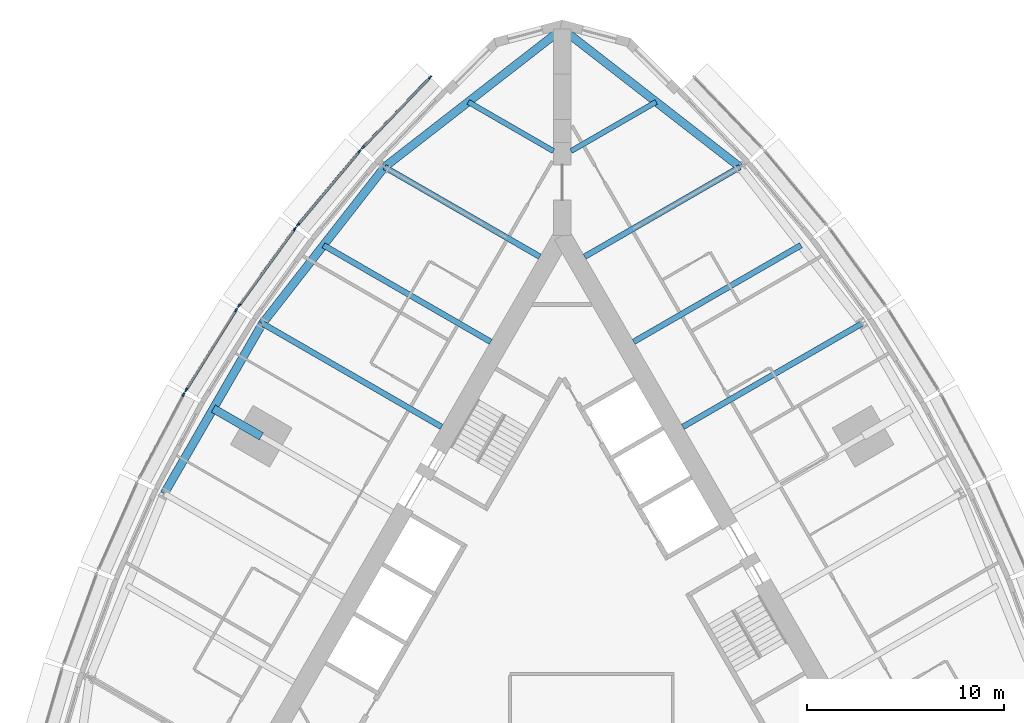
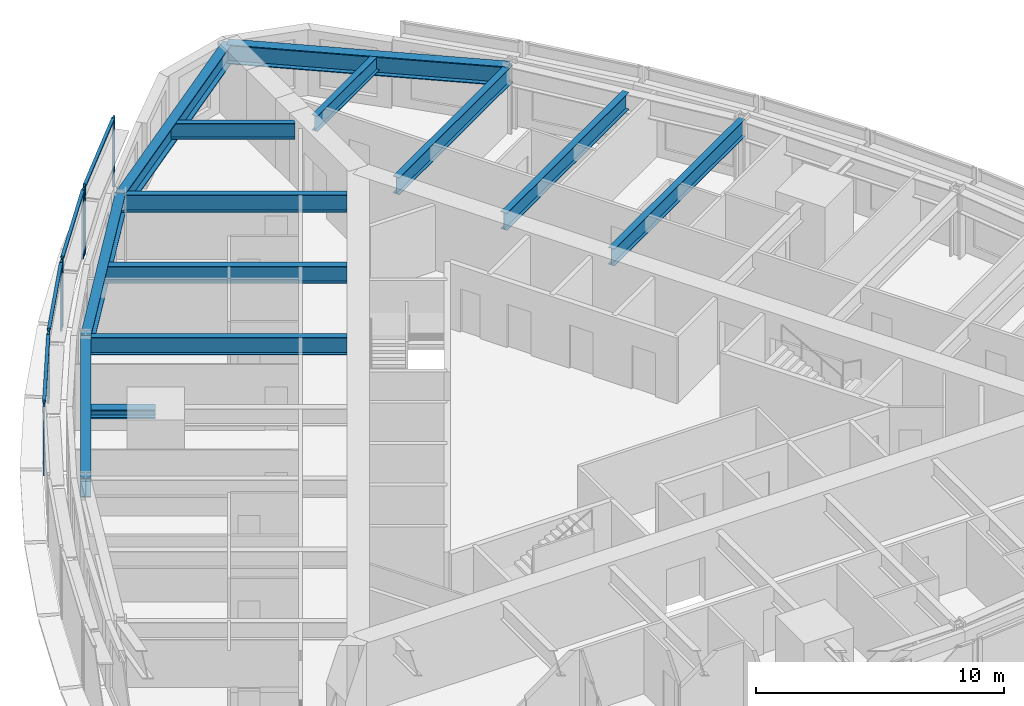
# One storey, part 4 of 14: 13 beams, 13 members, 5 elements without a shape of their own.
"""IFC4 building model written with IfcOpenShell, lengths in metres."""

from ifc_helpers import new_model, si_unit, direction, frame, origin, origin_2d, place, context, subcontext, project, spatial, rectangle, i_section, extrude, material, material_profile, profile_set, type_object, element, aggregate, save


model = new_model("IFC4")

# Units and contexts
model_context = context("Model", 3, precision=1e-05, world=origin(), true_north=direction((0.0, 1.0)))
body_context = subcontext(model_context, "Body", "Model", "MODEL_VIEW")
ifc_project = project(units=[si_unit("LENGTHUNIT", "METRE"), si_unit("AREAUNIT", "SQUARE_METRE"), si_unit("VOLUMEUNIT", "CUBIC_METRE"), si_unit("PLANEANGLEUNIT", "RADIAN"), si_unit("MASSUNIT", "GRAM", prefix="KILO")], contexts=[model_context])

# Site, building, storey
site_placement = place(None, origin())
site = spatial("IfcSite", under=ifc_project, at=site_placement, CompositionType="ELEMENT")
building_placement = place(site_placement, origin())
building = spatial("IfcBuilding", under=site, at=building_placement, Name="Trikona Tower", CompositionType="ELEMENT")
storey_placement = place(building_placement, frame((0.0, 0.0, 169.10009765625)))
storey = spatial("IfcBuildingStorey", under=building, at=storey_placement, Name="L45", CompositionType="ELEMENT", Elevation=169.10009765625)

# Curtain wall, members
ifc_material_1 = material(Name="Aluminium curtain wall system", Category="aluminium")
curtain_wall_type = type_object("IfcCurtainWallType", Name="Curtain wall DS2", PredefinedType="NOTDEFINED", material=ifc_material_1)
curtain_wall_1_placement = place(storey_placement, origin())
curtain_wall_1 = element("IfcCurtainWall", 1, at=curtain_wall_1_placement, inside=storey, type_object=curtain_wall_type, Name="Curtain wall DS2 L45", PredefinedType="NOTDEFINED")
ifc_material_2 = material(Name="Aluminium mullion, pale anodised", Category="aluminium")
ifc_material_profile_1 = material_profile(ifc_material_2, rectangle(XDim=0.080078125, YDim=0.199951171875, at=origin_2d()), Name="MUL-DS2")
ifc_profile_set_1 = profile_set([ifc_material_profile_1], Name="Aluminium mullion, pale anodised")
member_type_1 = type_object("IfcMemberType", Name="Mullion DS2 80x200", PredefinedType="MULLION", material=ifc_profile_set_1)
member_1_placement = place(storey_placement, frame((-6.718994140625, 27.1083984375, 0.0), z_axis=(0.0, 0.0, 1.0), x_axis=(0.722158330767, -0.691727797117, 0.0)))
member_1 = element("IfcMember", 2, at=member_1_placement, type_object=member_type_1, Name="CW-DS2 mullion 1", PredefinedType="MULLION", context=body_context, shape_type="SweptSolid", body=[
    extrude(rectangle(XDim=0.080078125, YDim=0.199951171875, at=origin_2d()), origin(), (0.0, 0.0, 1.0), 3.39990234375),
])
member_2_placement = place(storey_placement, frame((-10.1416015625, 23.535400390625, 0.0), z_axis=(0.0, 0.0, 1.0), x_axis=(0.722158330767, -0.691727797117, 0.0)))
member_2 = element("IfcMember", 3, at=member_2_placement, type_object=member_type_1, Name="CW-DS2 mullion 2", PredefinedType="MULLION", context=body_context, shape_type="SweptSolid", body=[
    extrude(rectangle(XDim=0.080078125, YDim=0.199951171875, at=origin_2d()), origin(), (0.0, 0.0, 1.0), 3.39990234375),
])

curtain_wall_2_placement = place(storey_placement, origin())
curtain_wall_2 = element("IfcCurtainWall", 4, at=curtain_wall_2_placement, inside=storey, type_object=curtain_wall_type, Name="Curtain wall DS2 L45", PredefinedType="NOTDEFINED")
member_3_placement = place(storey_placement, frame((-10.315185546875, 23.34130859375, 0.0), z_axis=(0.0, 0.0, 1.0), x_axis=(0.766866678271, -0.641806433248, 0.0)))
member_3 = element("IfcMember", 5, at=member_3_placement, type_object=member_type_1, Name="CW-DS2 mullion 1", PredefinedType="MULLION", context=body_context, shape_type="SweptSolid", body=[
    extrude(rectangle(XDim=0.080078125, YDim=0.199951171875, at=origin_2d()), origin(), (0.0, 0.0, 1.0), 3.39990234375),
])
member_4_placement = place(storey_placement, frame((-13.44482421875, 19.602294921875, 0.0), z_axis=(0.0, 0.0, 1.0), x_axis=(0.766866678271, -0.641806433248, 0.0)))
member_4 = element("IfcMember", 6, at=member_4_placement, type_object=member_type_1, Name="CW-DS2 mullion 2", PredefinedType="MULLION", context=body_context, shape_type="SweptSolid", body=[
    extrude(rectangle(XDim=0.080078125, YDim=0.199951171875, at=origin_2d()), origin(), (0.0, 0.0, 1.0), 3.39990234375),
])

curtain_wall_3_placement = place(storey_placement, origin())
curtain_wall_3 = element("IfcCurtainWall", 7, at=curtain_wall_3_placement, inside=storey, type_object=curtain_wall_type, Name="Curtain wall DS2 L45", PredefinedType="NOTDEFINED")
member_5_placement = place(storey_placement, frame((-13.605712890625, 19.39599609375, 0.0), z_axis=(0.0, 0.0, 1.0), x_axis=(0.80908576332, -0.587690588313, 0.0)))
member_5 = element("IfcMember", 8, at=member_5_placement, type_object=member_type_1, Name="CW-DS2 mullion 1", PredefinedType="MULLION", context=body_context, shape_type="SweptSolid", body=[
    extrude(rectangle(XDim=0.080078125, YDim=0.199951171875, at=origin_2d()), origin(), (0.0, 0.0, 1.0), 3.39990234375),
])
member_6_placement = place(storey_placement, frame((-16.442626953125, 15.489990234375, 0.0), z_axis=(0.0, 0.0, 1.0), x_axis=(0.80908576332, -0.587690588313, 0.0)))
member_6 = element("IfcMember", 9, at=member_6_placement, type_object=member_type_1, Name="CW-DS2 mullion 2", PredefinedType="MULLION", context=body_context, shape_type="SweptSolid", body=[
    extrude(rectangle(XDim=0.080078125, YDim=0.199951171875, at=origin_2d()), origin(), (0.0, 0.0, 1.0), 3.39990234375),
])

curtain_wall_4_placement = place(storey_placement, origin())
curtain_wall_4 = element("IfcCurtainWall", 10, at=curtain_wall_4_placement, inside=storey, type_object=curtain_wall_type, Name="Curtain wall DS2 L45", PredefinedType="NOTDEFINED")
member_7_placement = place(storey_placement, frame((-16.589599609375, 15.2724609375, 0.0), z_axis=(0.0, 0.0, 1.0), x_axis=(0.847998304006, -0.529998940002, 0.0)))
member_7 = element("IfcMember", 11, at=member_7_placement, type_object=member_type_1, Name="CW-DS2 mullion 1", PredefinedType="MULLION", context=body_context, shape_type="SweptSolid", body=[
    extrude(rectangle(XDim=0.080078125, YDim=0.199951171875, at=origin_2d()), origin(), (0.0, 0.0, 1.0), 3.39990234375),
])
member_8_placement = place(storey_placement, frame((-19.135009765625, 11.199462890625, 0.0), z_axis=(0.0, 0.0, 1.0), x_axis=(0.847998304006, -0.529998940002, 0.0)))
member_8 = element("IfcMember", 12, at=member_8_placement, type_object=member_type_1, Name="CW-DS2 mullion 2", PredefinedType="MULLION", context=body_context, shape_type="SweptSolid", body=[
    extrude(rectangle(XDim=0.080078125, YDim=0.199951171875, at=origin_2d()), origin(), (0.0, 0.0, 1.0), 3.39990234375),
])

# Curtain wall, member
curtain_wall_5_placement = place(storey_placement, origin())
curtain_wall_5 = element("IfcCurtainWall", 13, at=curtain_wall_5_placement, inside=storey, type_object=curtain_wall_type, Name="Curtain wall DS2 L45", PredefinedType="NOTDEFINED")
member_9_placement = place(storey_placement, frame((-19.2666015625, 10.9716796875, 0.0), z_axis=(0.0, 0.0, 1.0), x_axis=(0.882996107343, -0.469380308937, 0.0)))
member_9 = element("IfcMember", 14, at=member_9_placement, type_object=member_type_1, Name="CW-DS2 mullion 1", PredefinedType="MULLION", context=body_context, shape_type="SweptSolid", body=[
    extrude(rectangle(XDim=0.080078125, YDim=0.199951171875, at=origin_2d()), origin(), (0.0, 0.0, 1.0), 3.39990234375),
])
aggregate(curtain_wall_5, [member_9])

# Beams
ifc_material_3 = material(Name="Steel ASTM A992 Grade 50", Category="steel")
ifc_material_profile_2 = material_profile(ifc_material_3, i_section(OverallWidth=0.419189453125, OverallDepth=0.45458984375, WebThickness=0.042236328125, FlangeThickness=0.067626953125, at=origin_2d()), Name="W14X370")
ifc_profile_set_2 = profile_set([ifc_material_profile_2], Name="Steel ASTM A992 Grade 50")
beam_type_1 = type_object("IfcBeamType", Name="Steel beam W14x370 (apex bracket)", PredefinedType="BEAM", material=ifc_profile_set_2)
beam_1_placement = place(storey_placement, frame((-15.311767578125, 8.84033203125, 3.007568359375), z_axis=(-0.86605005072, 0.499957307824, 0.0), x_axis=(-0.499957307824, -0.86605005072, 0.0)))
element("IfcBeam", 15, at=beam_1_placement, inside=storey, type_object=beam_type_1, Name="Cantilever bracket L46 F3", PredefinedType="BEAM", context=body_context, shape_type="SweptSolid", body=[
    extrude(i_section(OverallWidth=0.419189453125, OverallDepth=0.45458984375, WebThickness=0.042236328125, FlangeThickness=0.067626953125, at=origin_2d()), origin(), (0.0, 0.0, 1.0), 2.819580078125),
])
ifc_material_4 = material(Name="Steel ASTM A992 Grade 50", Category="steel")
ifc_material_profile_3 = material_profile(ifc_material_4, i_section(OverallWidth=0.2666015625, OverallDepth=0.76953125, WebThickness=0.015625, FlangeThickness=0.025390625, at=origin_2d()), Name="W30X132")
ifc_profile_set_3 = profile_set([ifc_material_profile_3], Name="Steel ASTM A992 Grade 50")
beam_type_2 = type_object("IfcBeamType", Name="Steel beam W30x132 (wedge)", PredefinedType="BEAM", material=ifc_profile_set_3)
for number, where, z_axis, x_axis, name in (
    (16, (0.449951171875, 23.353759765625, 2.85009765625), (0.866038434829, 0.49997742889, 0.0), (-0.49997742889, 0.866038434829, 0.0), "Floor beam L46 F2 u20"),
    (17, (-0.449951171875, 23.353759765625, 2.85009765625), (-0.866038434829, 0.49997742889, 0.0), (-0.49997742889, -0.866038434829, 0.0), "Floor beam L46 F3 u-20"),
):
    element("IfcBeam", number, at=place(storey_placement, frame(where, z_axis=z_axis, x_axis=x_axis)), inside=storey, type_object=beam_type_2, Name=name, PredefinedType="BEAM", context=body_context, shape_type="SweptSolid", body=[
        extrude(i_section(OverallWidth=0.2666015625, OverallDepth=0.76953125, WebThickness=0.015625, FlangeThickness=0.025390625, at=origin_2d()), origin(), (0.0, 0.0, 1.0), 5.000732421875),
    ])
ifc_material_5 = material(Name="Steel ASTM A992 Grade 50", Category="steel")
ifc_material_profile_4 = material_profile(ifc_material_5, i_section(OverallWidth=0.2919921875, OverallDepth=0.845703125, WebThickness=0.015380859375, FlangeThickness=0.0244140625, at=origin_2d()), Name="W33X141")
ifc_profile_set_4 = profile_set([ifc_material_profile_4], Name="Steel ASTM A992 Grade 50")
beam_type_3 = type_object("IfcBeamType", Name="Steel beam W33x141 (radial typ)", PredefinedType="BEAM", material=ifc_profile_set_4)
beam_2_placement = place(storey_placement, frame((6.1396484375, 9.318359375, 2.81201171875), z_axis=(0.866036080828, 0.499981506362, 0.0), x_axis=(-0.499981506362, 0.866036080828, 0.0)))
element("IfcBeam", 18, at=beam_2_placement, inside=storey, type_object=beam_type_3, Name="Floor beam L46 F2 u5", PredefinedType="BEAM", context=body_context, shape_type="SweptSolid", body=[
    extrude(i_section(OverallWidth=0.2919921875, OverallDepth=0.845703125, WebThickness=0.015380859375, FlangeThickness=0.0244140625, at=origin_2d()), origin(), (0.0, 0.0, 1.0), 10.52392578125),
])
beam_3_placement = place(storey_placement, frame((3.6396484375, 13.6484375, 2.81201171875), z_axis=(0.866030807744, 0.499990639951, 0.0), x_axis=(-0.499990639951, 0.866030807744, 0.0)))
element("IfcBeam", 19, at=beam_3_placement, inside=storey, type_object=beam_type_3, Name="Floor beam L46 F2 u10", PredefinedType="BEAM", context=body_context, shape_type="SweptSolid", body=[
    extrude(i_section(OverallWidth=0.2919921875, OverallDepth=0.845703125, WebThickness=0.015380859375, FlangeThickness=0.0244140625, at=origin_2d()), origin(), (0.0, 0.0, 1.0), 9.823974609375),
])
for number, where, z_axis, x_axis, name in (
    (20, (1.1396484375, 17.978515625, 2.81201171875), (0.866024725532, 0.500001174766, 0.0), (-0.500001174766, 0.866024725532, 0.0), "Floor beam L46 F2 u15"),
    (21, (-1.1396484375, 17.978515625, 2.81201171875), (-0.866024725532, 0.500001174766, 0.0), (-0.500001174766, -0.866024725532, 0.0), "Floor beam L46 F3 u-15"),
):
    element("IfcBeam", number, at=place(storey_placement, frame(where, z_axis=z_axis, x_axis=x_axis)), inside=storey, type_object=beam_type_3, Name=name, PredefinedType="BEAM", context=body_context, shape_type="SweptSolid", body=[
        extrude(i_section(OverallWidth=0.2919921875, OverallDepth=0.845703125, WebThickness=0.015380859375, FlangeThickness=0.0244140625, at=origin_2d()), origin(), (0.0, 0.0, 1.0), 9.1240234375),
    ])
beam_4_placement = place(storey_placement, frame((-3.6396484375, 13.6484375, 2.81201171875), z_axis=(-0.866030807744, 0.499990639951, 0.0), x_axis=(-0.499990639951, -0.866030807744, 0.0)))
element("IfcBeam", 22, at=beam_4_placement, inside=storey, type_object=beam_type_3, Name="Floor beam L46 F3 u-10", PredefinedType="BEAM", context=body_context, shape_type="SweptSolid", body=[
    extrude(i_section(OverallWidth=0.2919921875, OverallDepth=0.845703125, WebThickness=0.015380859375, FlangeThickness=0.0244140625, at=origin_2d()), origin(), (0.0, 0.0, 1.0), 9.823974609375),
])
beam_5_placement = place(storey_placement, frame((-6.1396484375, 9.318359375, 2.81201171875), z_axis=(-0.866036080828, 0.499981506362, 0.0), x_axis=(-0.499981506362, -0.866036080828, 0.0)))
element("IfcBeam", 23, at=beam_5_placement, inside=storey, type_object=beam_type_3, Name="Floor beam L46 F3 u-5", PredefinedType="BEAM", context=body_context, shape_type="SweptSolid", body=[
    extrude(i_section(OverallWidth=0.2919921875, OverallDepth=0.845703125, WebThickness=0.015380859375, FlangeThickness=0.0244140625, at=origin_2d()), origin(), (0.0, 0.0, 1.0), 10.52392578125),
])
ifc_material_6 = material(Name="Steel ASTM A992 Grade 50", Category="steel")
ifc_material_profile_5 = material_profile(ifc_material_6, i_section(OverallWidth=0.424072265625, OverallDepth=0.947509765625, WebThickness=0.02392578125, FlangeThickness=0.042724609375, at=origin_2d()), Name="W36X302")
ifc_profile_set_5 = profile_set([ifc_material_profile_5], Name="Steel ASTM A992 Grade 50")
beam_type_4 = type_object("IfcBeamType", Name="Steel beam W36x302 (spandrel)", PredefinedType="SPANDREL", material=ifc_profile_set_5)
for number, where, z_axis, x_axis, name in (
    (24, (9.041259765625, 22.54052734375, 2.76123046875), (-0.789367137808, 0.613921429621, 0.0), (-0.613921429621, -0.789367137808, 0.0), "Spandrel beam L46 F2-5"),
    (25, (0.0, 29.572265625, 2.76123046875), (-0.789367137808, -0.613921429621, 0.0), (0.613921429621, -0.789367137808, 0.0), "Spandrel beam L46 F3-1"),
):
    element("IfcBeam", number, at=place(storey_placement, frame(where, z_axis=z_axis, x_axis=x_axis)), inside=storey, type_object=beam_type_4, Name=name, PredefinedType="SPANDREL", context=body_context, shape_type="SweptSolid", body=[
        extrude(i_section(OverallWidth=0.424072265625, OverallDepth=0.947509765625, WebThickness=0.02392578125, FlangeThickness=0.042724609375, at=origin_2d()), origin(), (0.0, 0.0, 1.0), 11.453857421875),
    ])
beam_6_placement = place(storey_placement, frame((-9.041259765625, 22.54052734375, 2.76123046875), z_axis=(-0.615232009054, -0.788346101046, 0.0), x_axis=(0.788346101046, -0.615232009054, 0.0)))
element("IfcBeam", 26, at=beam_6_placement, inside=storey, type_object=beam_type_4, Name="Spandrel beam L46 F3-2", PredefinedType="SPANDREL", context=body_context, shape_type="SweptSolid", body=[
    extrude(i_section(OverallWidth=0.424072265625, OverallDepth=0.947509765625, WebThickness=0.02392578125, FlangeThickness=0.042724609375, at=origin_2d()), origin(), (0.0, 0.0, 1.0), 10.09765625),
])
beam_7_placement = place(storey_placement, frame((-15.253662109375, 14.580078125, 2.76123046875), z_axis=(-0.500004234368, -0.866022959057, 0.0), x_axis=(0.866022959057, -0.500004234368, 0.0)))
element("IfcBeam", 27, at=beam_7_placement, inside=storey, type_object=beam_type_4, Name="Spandrel beam L46 F3-3", PredefinedType="SPANDREL", context=body_context, shape_type="SweptSolid", body=[
    extrude(i_section(OverallWidth=0.424072265625, OverallDepth=0.947509765625, WebThickness=0.02392578125, FlangeThickness=0.042724609375, at=origin_2d()), origin(), (0.0, 0.0, 1.0), 10.0),
])

# Member
ifc_material_7 = material(Name="Aluminium transom, pale anodised", Category="aluminium")
ifc_material_profile_6 = material_profile(ifc_material_7, rectangle(XDim=0.139892578125, YDim=0.080078125, at=origin_2d()), Name="TRN-DS2")
ifc_profile_set_6 = profile_set([ifc_material_profile_6], Name="Aluminium transom, pale anodised")
member_type_2 = type_object("IfcMemberType", Name="Transom DS2 80x140", PredefinedType="USERDEFINED", material=ifc_profile_set_6)
member_10_placement = place(storey_placement, frame((-6.746826171875, 27.07958984375, 3.35986328125), z_axis=(-0.691721246785, -0.722164605022, 0.0), x_axis=(0.722164605022, -0.691721246785, 0.0)))
member_10 = element("IfcMember", 28, at=member_10_placement, type_object=member_type_2, Name="CW-DS2 transom 1.1", ObjectType="TRANSOM", PredefinedType="USERDEFINED", context=body_context, shape_type="SweptSolid", body=[
    extrude(rectangle(XDim=0.139892578125, YDim=0.080078125, at=origin_2d()), origin(), (0.0, 0.0, 1.0), 4.867919921875),
])

aggregate(curtain_wall_1, [member_1, member_2, member_10])

member_11_placement = place(storey_placement, frame((-10.341064453125, 23.310791015625, 3.35986328125), z_axis=(-0.641770294892, -0.766896921753, 0.0), x_axis=(0.766896921753, -0.641770294892, 0.0)))
member_11 = element("IfcMember", 29, at=member_11_placement, type_object=member_type_2, Name="CW-DS2 transom 1.1", ObjectType="TRANSOM", PredefinedType="USERDEFINED", context=body_context, shape_type="SweptSolid", body=[
    extrude(rectangle(XDim=0.139892578125, YDim=0.080078125, at=origin_2d()), origin(), (0.0, 0.0, 1.0), 4.7958984375),
])

aggregate(curtain_wall_2, [member_3, member_4, member_11])

member_12_placement = place(storey_placement, frame((-13.629150390625, 19.363525390625, 3.35986328125), z_axis=(-0.587694585883, -0.809082859616, 0.0), x_axis=(0.809082859616, -0.587694585883, 0.0)))
member_12 = element("IfcMember", 30, at=member_12_placement, type_object=member_type_2, Name="CW-DS2 transom 1.1", ObjectType="TRANSOM", PredefinedType="USERDEFINED", context=body_context, shape_type="SweptSolid", body=[
    extrude(rectangle(XDim=0.139892578125, YDim=0.080078125, at=origin_2d()), origin(), (0.0, 0.0, 1.0), 4.747314453125),
])

aggregate(curtain_wall_3, [member_5, member_6, member_12])

member_13_placement = place(storey_placement, frame((-16.610595703125, 15.238525390625, 3.35986328125), z_axis=(-0.530031463794, -0.847977975769, 0.0), x_axis=(0.847977975769, -0.530031463794, 0.0)))
member_13 = element("IfcMember", 31, at=member_13_placement, type_object=member_type_2, Name="CW-DS2 transom 1.1", ObjectType="TRANSOM", PredefinedType="USERDEFINED", context=body_context, shape_type="SweptSolid", body=[
    extrude(rectangle(XDim=0.139892578125, YDim=0.080078125, at=origin_2d()), origin(), (0.0, 0.0, 1.0), 4.72314453125),
])

aggregate(curtain_wall_4, [member_7, member_8, member_13])

save(model, "model.ifc")
